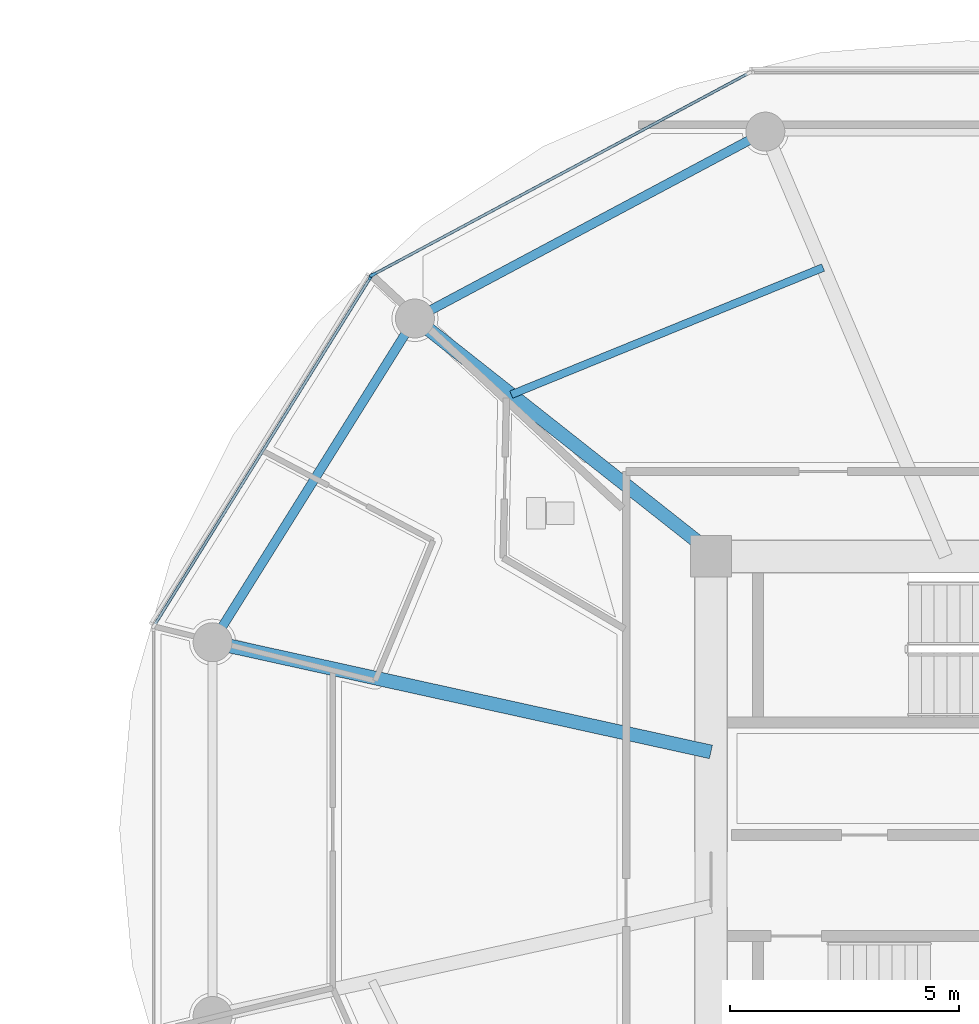
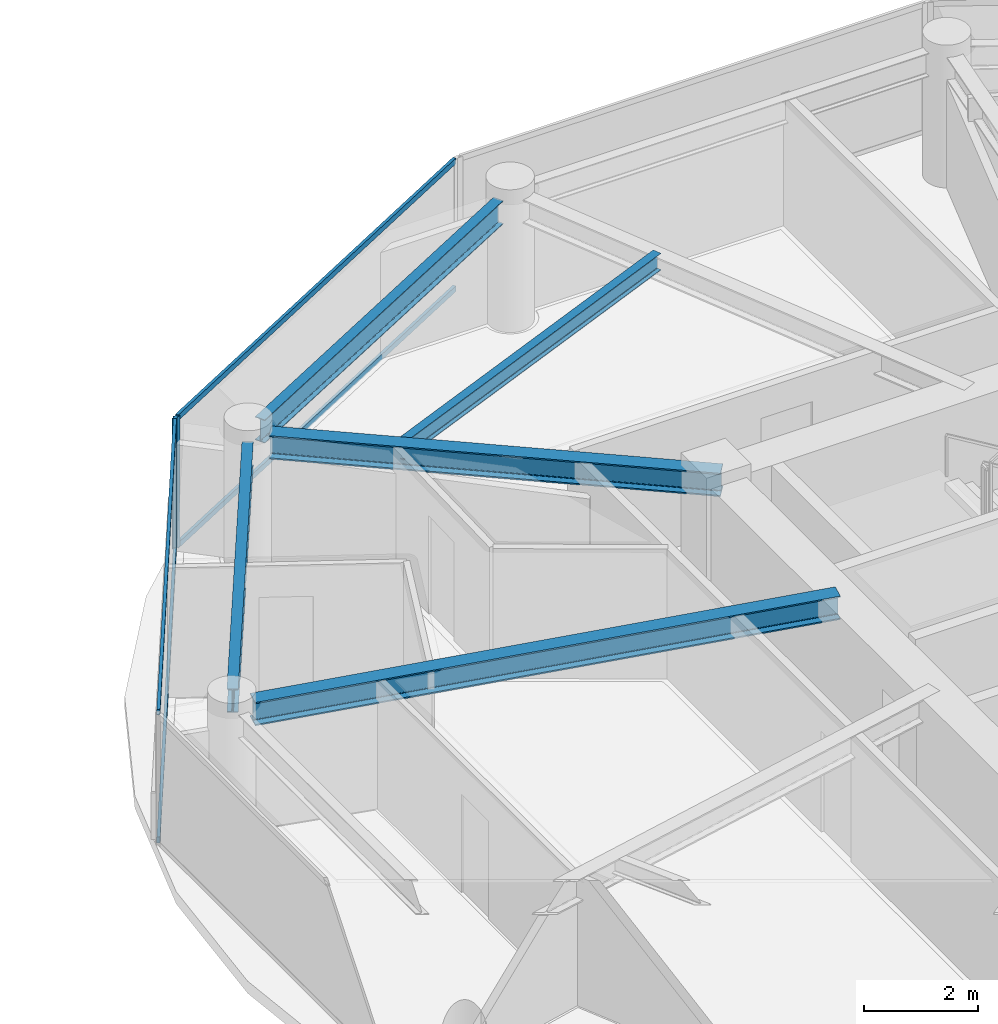
# One storey, part 8 of 25: 6 members, 5 beams, 2 elements without a shape of their own.
"""IFC4 building model written with IfcOpenShell, lengths in metres."""

from ifc_helpers import new_model, si_unit, direction, frame, origin, origin_2d, place, context, subcontext, project, spatial, rectangle, i_section, extrude, source, transform, mapped, material, layer, layer_set, material_profile, profile_set, type_object, type_shapes, element, aggregate, save


model = new_model("IFC4")

# Units and contexts
model_context = context("Model", 3, precision=1e-05, world=origin(), true_north=direction((0.0, 1.0)))
body_context = subcontext(model_context, "Body", "Model", "MODEL_VIEW")
ifc_project = project(units=[si_unit("LENGTHUNIT", "METRE"), si_unit("AREAUNIT", "SQUARE_METRE"), si_unit("VOLUMEUNIT", "CUBIC_METRE"), si_unit("PLANEANGLEUNIT", "RADIAN"), si_unit("MASSUNIT", "GRAM", prefix="KILO")], contexts=[model_context])

# Site, building, storey
site_placement = place(None, origin())
site = spatial("IfcSite", under=ifc_project, at=site_placement, CompositionType="ELEMENT")
building_placement = place(site_placement, origin())
building = spatial("IfcBuilding", under=site, at=building_placement, Name="Norrkilde Senior Care Towers", CompositionType="ELEMENT")
storey_placement = place(building_placement, frame((0.0, 0.0, 99.300048828125)))
storey = spatial("IfcBuildingStorey", under=building, at=storey_placement, Name="L30", CompositionType="ELEMENT", Elevation=99.300048828125)

# Beams
ifc_material_1 = material(Name="Steel S355", Category="steel")
ifc_material_profile_1 = material_profile(ifc_material_1, i_section(OverallWidth=0.199951171875, OverallDepth=0.5, WebThickness=0.01025390625, FlangeThickness=0.01611328125, FilletRadius=0.02099609375, at=origin_2d()), Name="IPE 500")
ifc_profile_set_1 = profile_set([ifc_material_profile_1], Name="Steel S355")
beam_type_1 = type_object("IfcBeamType", Name="Perimeter Ring Spandrel Z2 IPE500", PredefinedType="SPANDREL", material=ifc_profile_set_1)
shared_shape_1 = source(origin(), body_context, "Body", "SweptSolid", [
    extrude(i_section(OverallWidth=0.199951171875, OverallDepth=0.5, WebThickness=0.01025390625, FlangeThickness=0.01611328125, FilletRadius=0.02099609375, at=origin_2d()), origin(), (0.0, 0.0, 1.0), 7.55615234375),
])
beam_1_placement = place(storey_placement, frame((13.689697265625, 10.810546875, 2.5400390625), z_axis=(-0.529981514254, -0.848009194849, 0.0), x_axis=(0.848009194849, -0.529981514254, 0.0)))
element("IfcBeam", 1, at=beam_1_placement, inside=storey, type_object=beam_type_1, Name="L30 Drum E Perimeter Spandrel 05", PredefinedType="SPANDREL", context=body_context, shape_type="MappedRepresentation", body=[
    mapped(shared_shape_1, transform((0.0, 0.0, 0.0), x_axis=(1.0, 0.0, 0.0), y_axis=(0.0, 1.0, 0.0), z_axis=(0.0, 0.0, 1.0), scale=1.0)),
])
ifc_material_profile_2 = material_profile(ifc_material_1, i_section(OverallWidth=0.300048828125, OverallDepth=0.5, WebThickness=0.014404296875, FlangeThickness=0.028076171875, FilletRadius=0.027099609375, at=origin_2d()), Name="HEB 500")
ifc_profile_set_2 = profile_set([ifc_material_profile_2], Name="Steel S355")
beam_type_2 = type_object("IfcBeamType", Name="Radial Floor Beam Z2 HEB500", PredefinedType="BEAM", material=ifc_profile_set_2)
shared_shape_2 = source(origin(), body_context, "Body", "SweptSolid", [
    extrude(i_section(OverallWidth=0.300048828125, OverallDepth=0.5, WebThickness=0.014404296875, FlangeThickness=0.028076171875, FilletRadius=0.027099609375, at=origin_2d()), origin(), (0.0, 0.0, 1.0), 10.744384765625),
])
beam_2_placement = place(storey_placement, frame((20.35009765625, 1.683837890625, 2.5400390625), z_axis=(-0.976618711422, 0.214978818724, 0.0), x_axis=(-0.214978818724, -0.976618711422, 0.0)))
element("IfcBeam", 2, at=beam_2_placement, inside=storey, type_object=beam_type_2, Name="L30 Drum E Radial Floor Beam 06", PredefinedType="BEAM", context=body_context, shape_type="MappedRepresentation", body=[
    mapped(shared_shape_2, transform((0.0, 0.0, 0.0), x_axis=(1.0, 0.0, 0.0), y_axis=(0.0, 1.0, 0.0), z_axis=(0.0, 0.0, 1.0), scale=1.0)),
])
shared_shape_3 = source(origin(), body_context, "Body", "SweptSolid", [
    extrude(i_section(OverallWidth=0.199951171875, OverallDepth=0.5, WebThickness=0.01025390625, FlangeThickness=0.01611328125, FilletRadius=0.02099609375, at=origin_2d()), origin(), (0.0, 0.0, 1.0), 7.892333984375),
])
type_shapes(beam_type_1, [shared_shape_1, shared_shape_3])
beam_3_placement = place(storey_placement, frame((21.197509765625, 15.0322265625, 2.5400390625), z_axis=(-0.882350372282, -0.47059305194, 0.0), x_axis=(0.47059305194, -0.882350372282, 0.0)))
element("IfcBeam", 3, at=beam_3_placement, inside=storey, type_object=beam_type_1, Name="L30 Drum E Perimeter Spandrel 04", PredefinedType="SPANDREL", context=body_context, shape_type="MappedRepresentation", body=[
    mapped(shared_shape_3, transform((0.0, 0.0, 0.0), x_axis=(1.0, 0.0, 0.0), y_axis=(0.0, 1.0, 0.0), z_axis=(0.0, 0.0, 1.0), scale=1.0)),
])
shared_shape_4 = source(origin(), body_context, "Body", "SweptSolid", [
    extrude(i_section(OverallWidth=0.300048828125, OverallDepth=0.5, WebThickness=0.014404296875, FlangeThickness=0.028076171875, FilletRadius=0.027099609375, at=origin_2d()), origin(), (0.0, 0.0, 1.0), 7.985595703125),
])
type_shapes(beam_type_2, [shared_shape_2, shared_shape_4])
beam_4_placement = place(storey_placement, frame((20.463623046875, 5.949951171875, 2.5400390625), z_axis=(-0.784858505144, 0.619675017169, 0.0), x_axis=(-0.619675017169, -0.784858505144, 0.0)))
element("IfcBeam", 4, at=beam_4_placement, inside=storey, type_object=beam_type_2, Name="L30 Drum E Radial Floor Beam 05", PredefinedType="BEAM", context=body_context, shape_type="MappedRepresentation", body=[
    mapped(shared_shape_4, transform((0.0, 0.0, 0.0), x_axis=(1.0, 0.0, 0.0), y_axis=(0.0, 1.0, 0.0), z_axis=(0.0, 0.0, 1.0), scale=1.0)),
])
ifc_material_profile_3 = material_profile(ifc_material_1, i_section(OverallWidth=0.169921875, OverallDepth=0.360107421875, WebThickness=0.008056640625, FlangeThickness=0.0126953125, FilletRadius=0.01806640625, at=origin_2d()), Name="IPE 360")
ifc_profile_set_3 = profile_set([ifc_material_profile_3], Name="Steel S355")
beam_type_3 = type_object("IfcBeamType", Name="Secondary Floor Joist IPE360", PredefinedType="JOIST", material=ifc_profile_set_3)
shared_shape_5 = source(origin(), body_context, "Body", "SweptSolid", [
    extrude(i_section(OverallWidth=0.169921875, OverallDepth=0.360107421875, WebThickness=0.008056640625, FlangeThickness=0.0126953125, FilletRadius=0.01806640625, at=origin_2d()), origin(), (0.0, 0.0, 1.0), 7.343505859375),
])
type_shapes(beam_type_3, [shared_shape_5])
beam_5_placement = place(storey_placement, frame((22.79638671875, 12.2490234375, 2.60986328125), z_axis=(-0.926021784767, -0.377470070519, 0.0), x_axis=(0.377470070519, -0.926021784767, 0.0)))
element("IfcBeam", 5, at=beam_5_placement, inside=storey, type_object=beam_type_3, Name="L30 Drum E Secondary Floor Joist 2", PredefinedType="JOIST", context=body_context, shape_type="MappedRepresentation", body=[
    mapped(shared_shape_5, transform((0.0, 0.0, 0.0), x_axis=(1.0, 0.0, 0.0), y_axis=(0.0, 1.0, 0.0), z_axis=(0.0, 0.0, 1.0), scale=1.0)),
])

# Curtain wall, member
ifc_material_2 = material(Name="Triple Low-E Insulated Glazing", Category="glass")
ifc_layer = layer(ifc_material_2, 0.195068359375)
ifc_layer_set = layer_set([ifc_layer], Name="Triple Low-E Insulated Glazing")
curtain_wall_type = type_object("IfcCurtainWallType", Name="CW3 Zone 2 Assisted Living Curtain Wall", PredefinedType="NOTDEFINED", material=ifc_layer_set)
curtain_wall_1_placement = place(storey_placement, origin())
curtain_wall_1 = element("IfcCurtainWall", 6, at=curtain_wall_1_placement, inside=storey, type_object=curtain_wall_type, Name="L30 Drum E Curtain Wall 03", PredefinedType="NOTDEFINED")
ifc_material_3 = material(Name="Anodised Aluminium", Category="aluminium")
ifc_material_profile_4 = material_profile(ifc_material_3, rectangle(XDim=0.06494140625, YDim=0.159912109375, at=origin_2d()), Name="ALU MULL 65x160")
ifc_profile_set_4 = profile_set([ifc_material_profile_4], Name="Anodised Aluminium")
member_type_1 = type_object("IfcMemberType", Name="Curtain Wall Mullion Z1-Z2 65x160", PredefinedType="MULLION", material=ifc_profile_set_4)
shared_shape_6 = source(origin(), body_context, "Body", "SweptSolid", [
    extrude(rectangle(XDim=0.06494140625, YDim=0.159912109375, at=origin_2d()), origin(), (0.0, 0.0, 1.0), 2.7900390625),
])
type_shapes(member_type_1, [shared_shape_6])
member_1_placement = place(storey_placement, frame((12.98193359375, 12.0927734375, 0.0), z_axis=(0.0, 0.0, 1.0), x_axis=(-0.472769402511, 0.881186184668, 0.0)))
member_1 = element("IfcMember", 7, at=member_1_placement, type_object=member_type_1, Name="CW-3 mullion 1", PredefinedType="MULLION", context=body_context, shape_type="MappedRepresentation", body=[
    mapped(shared_shape_6, transform((0.0, 0.0, 0.0), x_axis=(1.0, 0.0, 0.0), y_axis=(0.0, 1.0, 0.0), z_axis=(0.0, 0.0, 1.0), scale=1.0)),
])

# Curtain wall, members
curtain_wall_2_placement = place(storey_placement, origin())
curtain_wall_2 = element("IfcCurtainWall", 8, at=curtain_wall_2_placement, inside=storey, type_object=curtain_wall_type, Name="L30 Drum E Curtain Wall 04", PredefinedType="NOTDEFINED")
member_2_placement = place(storey_placement, frame((12.936279296875, 12.0498046875, 0.0), z_axis=(0.0, 0.0, 1.0), x_axis=(-0.849410171862, 0.527733228002, 0.0)))
member_2 = element("IfcMember", 9, at=member_2_placement, type_object=member_type_1, Name="CW-3 mullion 2", PredefinedType="MULLION", context=body_context, shape_type="MappedRepresentation", body=[
    mapped(shared_shape_6, transform((0.0, 0.0, 0.0), x_axis=(1.0, 0.0, 0.0), y_axis=(0.0, 1.0, 0.0), z_axis=(0.0, 0.0, 1.0), scale=1.0)),
])
ifc_material_profile_5 = material_profile(ifc_material_3, rectangle(XDim=0.06005859375, YDim=0.1201171875, at=origin_2d()), Name="ALU TRAN 60x120")
ifc_profile_set_5 = profile_set([ifc_material_profile_5], Name="Anodised Aluminium")
member_type_2 = type_object("IfcMemberType", Name="Curtain Wall Transom Typical 60x120", PredefinedType="USERDEFINED", material=ifc_profile_set_5)
shared_shape_7 = source(origin(), body_context, "Body", "SweptSolid", [
    extrude(rectangle(XDim=0.06005859375, YDim=0.1201171875, at=origin_2d()), origin(), (0.0, 0.0, 1.0), 8.88427734375),
])
member_3_placement = place(storey_placement, frame((8.23046875, 4.475830078125, 0.030029296875), z_axis=(0.527749293309, 0.849400190377, 0.0), x_axis=(-0.849400190377, 0.527749293309, 0.0)))
member_3 = element("IfcMember", 10, at=member_3_placement, type_object=member_type_2, Name="CW-3 transom 1.1", ObjectType="TRANSOM", PredefinedType="USERDEFINED", context=body_context, shape_type="MappedRepresentation", body=[
    mapped(shared_shape_7, transform((0.0, 0.0, 0.0), x_axis=(1.0, 0.0, 0.0), y_axis=(0.0, 1.0, 0.0), z_axis=(0.0, 0.0, 1.0), scale=1.0)),
])
member_4_placement = place(storey_placement, frame((8.23046875, 4.475830078125, 2.760009765625), z_axis=(0.527749293309, 0.849400190377, 0.0), x_axis=(-0.849400190377, 0.527749293309, 0.0)))
member_4 = element("IfcMember", 11, at=member_4_placement, type_object=member_type_2, Name="CW-3 transom 1.2", ObjectType="TRANSOM", PredefinedType="USERDEFINED", context=body_context, shape_type="MappedRepresentation", body=[
    mapped(shared_shape_7, transform((0.0, 0.0, 0.0), x_axis=(1.0, 0.0, 0.0), y_axis=(0.0, 1.0, 0.0), z_axis=(0.0, 0.0, 1.0), scale=1.0)),
])
aggregate(curtain_wall_2, [member_2, member_3, member_4])

# Member
shared_shape_8 = source(origin(), body_context, "Body", "SweptSolid", [
    extrude(rectangle(XDim=0.06005859375, YDim=0.1201171875, at=origin_2d()), origin(), (0.0, 0.0, 1.0), 9.220458984375),
])
type_shapes(member_type_2, [shared_shape_7, shared_shape_8])
member_5_placement = place(storey_placement, frame((13.0107421875, 12.108154296875, 0.030029296875), z_axis=(0.881188517866, 0.472765053681, 0.0), x_axis=(-0.472765053681, 0.881188517866, 0.0)))
member_5 = element("IfcMember", 12, at=member_5_placement, type_object=member_type_2, Name="CW-3 transom 1.1", ObjectType="TRANSOM", PredefinedType="USERDEFINED", context=body_context, shape_type="MappedRepresentation", body=[
    mapped(shared_shape_8, transform((0.0, 0.0, 0.0), x_axis=(1.0, 0.0, 0.0), y_axis=(0.0, 1.0, 0.0), z_axis=(0.0, 0.0, 1.0), scale=1.0)),
])

member_6_placement = place(storey_placement, frame((13.0107421875, 12.108154296875, 2.760009765625), z_axis=(0.881188517866, 0.472765053681, 0.0), x_axis=(-0.472765053681, 0.881188517866, 0.0)))
member_6 = element("IfcMember", 13, at=member_6_placement, type_object=member_type_2, Name="CW-3 transom 1.2", ObjectType="TRANSOM", PredefinedType="USERDEFINED", context=body_context, shape_type="MappedRepresentation", body=[
    mapped(shared_shape_8, transform((0.0, 0.0, 0.0), x_axis=(1.0, 0.0, 0.0), y_axis=(0.0, 1.0, 0.0), z_axis=(0.0, 0.0, 1.0), scale=1.0)),
])

aggregate(curtain_wall_1, [member_1, member_5, member_6])

save(model, "model.ifc")
